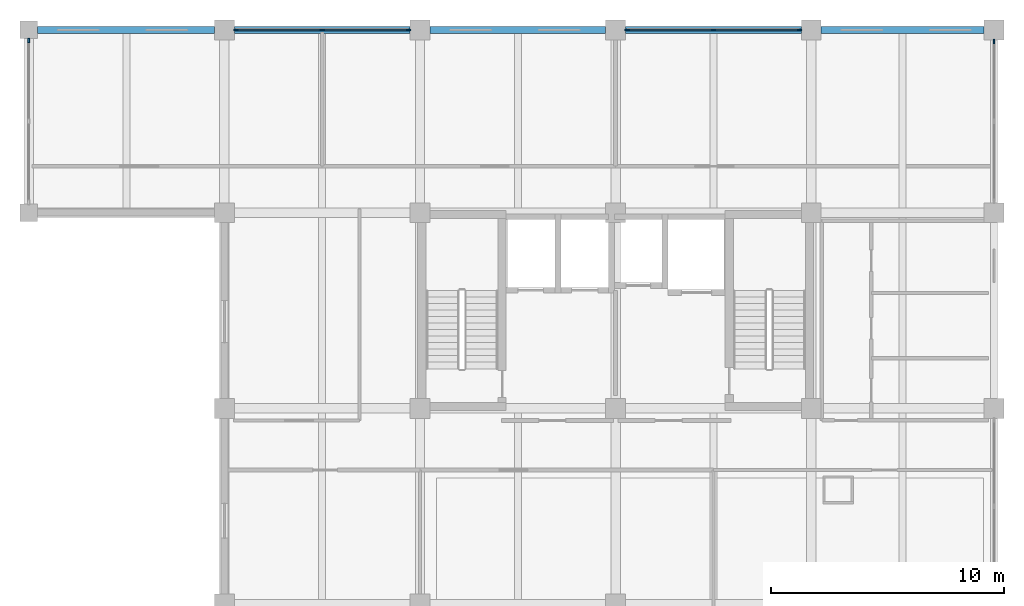
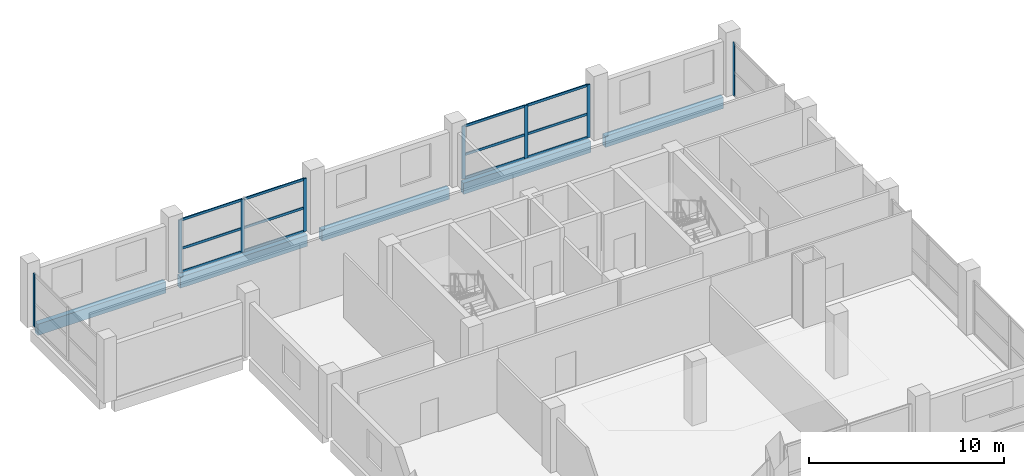
# One storey, part 5 of 9: 20 members, 5 beams, 4 elements without a shape of their own.
"""IFC4 building model written with IfcOpenShell, lengths in metres."""

from ifc_helpers import new_model, si_unit, direction, frame, origin, origin_2d, place, context, subcontext, project, spatial, rectangle, extrude, material, material_profile, profile_set, type_object, element, aggregate, save


model = new_model("IFC4")

# Units and contexts
model_context = context("Model", 3, precision=1e-05, world=origin(), true_north=direction((0.0, 1.0)))
body_context = subcontext(model_context, "Body", "Model", "MODEL_VIEW")
ifc_project = project(units=[si_unit("LENGTHUNIT", "METRE"), si_unit("AREAUNIT", "SQUARE_METRE"), si_unit("VOLUMEUNIT", "CUBIC_METRE"), si_unit("PLANEANGLEUNIT", "RADIAN"), si_unit("MASSUNIT", "GRAM", prefix="KILO")], contexts=[model_context])

# Site, building, storey
site_placement = place(None, origin())
site = spatial("IfcSite", under=ifc_project, at=site_placement, CompositionType="ELEMENT")
building_placement = place(site_placement, origin())
building = spatial("IfcBuilding", under=site, at=building_placement, Name="Brinegate Botanical Conservatory", CompositionType="ELEMENT")
storey_placement = place(building_placement, frame((0.0, 0.0, 36.0)))
storey = spatial("IfcBuildingStorey", under=building, at=storey_placement, Name="L09", CompositionType="ELEMENT", Elevation=36.0)

# Beams
ifc_material_1 = material(Name="Concrete C40/50", Category="concrete")
ifc_material_profile_1 = material_profile(ifc_material_1, rectangle(XDim=0.300048828125, YDim=0.699951171875, at=origin_2d()), Name="RC SPN 300x700")
ifc_profile_set_1 = profile_set([ifc_material_profile_1], Name="Concrete C40/50")
beam_type = type_object("IfcBeamType", Name="Beam_SP-02", PredefinedType="SPANDREL", material=ifc_profile_set_1)
beam_1_placement = place(storey_placement, frame((122.375, 111.449951171875, -0.530029296875), z_axis=(1.0, 0.0, 0.0), x_axis=(0.0, 1.0, 0.0)))
element("IfcBeam", 1, at=beam_1_placement, inside=storey, type_object=beam_type, Name="Beam SP-02 L09 P:16-17", PredefinedType="SPANDREL", context=body_context, shape_type="SweptSolid", body=[
    extrude(rectangle(XDim=0.300048828125, YDim=0.699951171875, at=origin_2d()), origin(), (0.0, 0.0, 1.0), 7.60009765625),
])
beam_2_placement = place(storey_placement, frame((130.824951171875, 111.449951171875, -0.530029296875), z_axis=(1.0, 0.0, 0.0), x_axis=(0.0, 1.0, 0.0)))
element("IfcBeam", 2, at=beam_2_placement, inside=storey, type_object=beam_type, Name="Beam SP-02 L09 P:17-18", PredefinedType="SPANDREL", context=body_context, shape_type="SweptSolid", body=[
    extrude(rectangle(XDim=0.300048828125, YDim=0.699951171875, at=origin_2d()), origin(), (0.0, 0.0, 1.0), 7.550048828125),
])
beam_3_placement = place(storey_placement, frame((139.22509765625, 111.449951171875, -0.530029296875), z_axis=(1.0, 0.0, 0.0), x_axis=(0.0, 1.0, 0.0)))
element("IfcBeam", 3, at=beam_3_placement, inside=storey, type_object=beam_type, Name="Beam SP-02 L09 P:18-19", PredefinedType="SPANDREL", context=body_context, shape_type="SweptSolid", body=[
    extrude(rectangle(XDim=0.300048828125, YDim=0.699951171875, at=origin_2d()), origin(), (0.0, 0.0, 1.0), 7.5498046875),
])
beam_4_placement = place(storey_placement, frame((147.625, 111.449951171875, -0.530029296875), z_axis=(1.0, 0.0, 0.0), x_axis=(0.0, 1.0, 0.0)))
element("IfcBeam", 4, at=beam_4_placement, inside=storey, type_object=beam_type, Name="Beam SP-02 L09 P:19-20", PredefinedType="SPANDREL", context=body_context, shape_type="SweptSolid", body=[
    extrude(rectangle(XDim=0.300048828125, YDim=0.699951171875, at=origin_2d()), origin(), (0.0, 0.0, 1.0), 7.550048828125),
])
beam_5_placement = place(storey_placement, frame((156.02490234375, 111.449951171875, -0.530029296875), z_axis=(1.0, 0.0, 0.0), x_axis=(0.0, 1.0, 0.0)))
element("IfcBeam", 5, at=beam_5_placement, inside=storey, type_object=beam_type, Name="Beam SP-02 L09 P:20-21", PredefinedType="SPANDREL", context=body_context, shape_type="SweptSolid", body=[
    extrude(rectangle(XDim=0.300048828125, YDim=0.699951171875, at=origin_2d()), origin(), (0.0, 0.0, 1.0), 7.0),
])

# Curtain wall, members
ifc_material_2 = material(Name="Thermally broken anodised aluminium AW-6063-T6", Category="aluminium")
curtain_wall_type = type_object("IfcCurtainWallType", Name="CW_CW-TW1", PredefinedType="USERDEFINED", material=ifc_material_2)
curtain_wall_1_placement = place(storey_placement, origin())
curtain_wall_1 = element("IfcCurtainWall", 6, at=curtain_wall_1_placement, inside=storey, type_object=curtain_wall_type, Name="Research lab north curtain wall L09.2", ObjectType="FACTORY CURTAIN WALL", PredefinedType="USERDEFINED")
ifc_material_profile_2 = material_profile(ifc_material_2, rectangle(XDim=0.070068359375, YDim=0.199951171875, at=origin_2d()), Name="ALUM MULLION 70x200")
ifc_profile_set_2 = profile_set([ifc_material_profile_2], Name="Thermally broken anodised aluminium AW-6063-T6")
member_type_1 = type_object("IfcMemberType", Name="Member_ML-03", PredefinedType="MULLION", material=ifc_profile_set_2)
member_1_placement = place(storey_placement, frame((130.89990234375, 111.449951171875, 0.0), z_axis=(0.0, 0.0, 1.0), x_axis=(0.0, 1.0, 0.0)))
member_1 = element("IfcMember", 7, at=member_1_placement, type_object=member_type_1, Name="CW-TW1 mullion 1", PredefinedType="MULLION", context=body_context, shape_type="SweptSolid", body=[
    extrude(rectangle(XDim=0.070068359375, YDim=0.199951171875, at=origin_2d()), origin(), (0.0, 0.0, 1.0), 3.320068359375),
])
member_2_placement = place(storey_placement, frame((134.60009765625, 111.449951171875, 0.0), z_axis=(0.0, 0.0, 1.0), x_axis=(0.0, 1.0, 0.0)))
member_2 = element("IfcMember", 8, at=member_2_placement, type_object=member_type_1, Name="CW-TW1 mullion 2", PredefinedType="MULLION", context=body_context, shape_type="SweptSolid", body=[
    extrude(rectangle(XDim=0.070068359375, YDim=0.199951171875, at=origin_2d()), origin(), (0.0, 0.0, 1.0), 3.320068359375),
])
member_3_placement = place(storey_placement, frame((138.300048828125, 111.449951171875, 0.0), z_axis=(0.0, 0.0, 1.0), x_axis=(0.0, 1.0, 0.0)))
member_3 = element("IfcMember", 9, at=member_3_placement, type_object=member_type_1, Name="CW-TW1 mullion 3", PredefinedType="MULLION", context=body_context, shape_type="SweptSolid", body=[
    extrude(rectangle(XDim=0.070068359375, YDim=0.199951171875, at=origin_2d()), origin(), (0.0, 0.0, 1.0), 3.320068359375),
])

curtain_wall_2_placement = place(storey_placement, origin())
curtain_wall_2 = element("IfcCurtainWall", 10, at=curtain_wall_2_placement, inside=storey, type_object=curtain_wall_type, Name="Research lab north curtain wall L09.4", ObjectType="FACTORY CURTAIN WALL", PredefinedType="USERDEFINED")
member_4_placement = place(storey_placement, frame((147.699951171875, 111.449951171875, 0.0), z_axis=(0.0, 0.0, 1.0), x_axis=(0.0, 1.0, 0.0)))
member_4 = element("IfcMember", 11, at=member_4_placement, type_object=member_type_1, Name="CW-TW1 mullion 1", PredefinedType="MULLION", context=body_context, shape_type="SweptSolid", body=[
    extrude(rectangle(XDim=0.070068359375, YDim=0.199951171875, at=origin_2d()), origin(), (0.0, 0.0, 1.0), 3.320068359375),
])
member_5_placement = place(storey_placement, frame((151.39990234375, 111.449951171875, 0.0), z_axis=(0.0, 0.0, 1.0), x_axis=(0.0, 1.0, 0.0)))
member_5 = element("IfcMember", 12, at=member_5_placement, type_object=member_type_1, Name="CW-TW1 mullion 2", PredefinedType="MULLION", context=body_context, shape_type="SweptSolid", body=[
    extrude(rectangle(XDim=0.070068359375, YDim=0.199951171875, at=origin_2d()), origin(), (0.0, 0.0, 1.0), 3.320068359375),
])
member_6_placement = place(storey_placement, frame((155.10009765625, 111.449951171875, 0.0), z_axis=(0.0, 0.0, 1.0), x_axis=(0.0, 1.0, 0.0)))
member_6 = element("IfcMember", 13, at=member_6_placement, type_object=member_type_1, Name="CW-TW1 mullion 3", PredefinedType="MULLION", context=body_context, shape_type="SweptSolid", body=[
    extrude(rectangle(XDim=0.070068359375, YDim=0.199951171875, at=origin_2d()), origin(), (0.0, 0.0, 1.0), 3.320068359375),
])

# Curtain wall, member
curtain_wall_3_placement = place(storey_placement, origin())
curtain_wall_3 = element("IfcCurtainWall", 14, at=curtain_wall_3_placement, inside=storey, type_object=curtain_wall_type, Name="Tower east curtain wall L09.4", ObjectType="FACTORY CURTAIN WALL", PredefinedType="USERDEFINED")
member_7_placement = place(storey_placement, frame((163.449951171875, 110.949951171875, 0.0), z_axis=(0.0, 0.0, 1.0), x_axis=(1.0, 0.0, 0.0)))
member_7 = element("IfcMember", 15, at=member_7_placement, type_object=member_type_1, Name="CW-TW1 mullion 1", PredefinedType="MULLION", context=body_context, shape_type="SweptSolid", body=[
    extrude(rectangle(XDim=0.070068359375, YDim=0.199951171875, at=origin_2d()), origin(), (0.0, 0.0, 1.0), 3.320068359375),
])
aggregate(curtain_wall_3, [member_7])

curtain_wall_4_placement = place(storey_placement, origin())
curtain_wall_4 = element("IfcCurtainWall", 16, at=curtain_wall_4_placement, inside=storey, type_object=curtain_wall_type, Name="Tower north-west curtain wall L09", ObjectType="FACTORY CURTAIN WALL", PredefinedType="USERDEFINED")
member_8_placement = place(storey_placement, frame((122.0, 111.0, 0.0), z_axis=(0.0, 0.0, 1.0), x_axis=(-1.0, 0.0, 0.0)))
member_8 = element("IfcMember", 17, at=member_8_placement, type_object=member_type_1, Name="CW-TW1 mullion 3", PredefinedType="MULLION", context=body_context, shape_type="SweptSolid", body=[
    extrude(rectangle(XDim=0.070068359375, YDim=0.199951171875, at=origin_2d()), origin(), (0.0, 0.0, 1.0), 3.320068359375),
])
aggregate(curtain_wall_4, [member_8])

# Member
ifc_material_profile_3 = material_profile(ifc_material_2, rectangle(XDim=0.070068359375, YDim=0.14990234375, at=origin_2d()), Name="ALUM TRANSOM 70x150")
ifc_profile_set_3 = profile_set([ifc_material_profile_3], Name="Thermally broken anodised aluminium AW-6063-T6")
member_type_2 = type_object("IfcMemberType", Name="Member_TR-03", PredefinedType="USERDEFINED", material=ifc_profile_set_3)
member_9_placement = place(storey_placement, frame((130.93505859375, 111.449951171875, 0.034912109375), z_axis=(1.0, 0.0, 0.0), x_axis=(0.0, 1.0, 0.0)))
member_9 = element("IfcMember", 18, at=member_9_placement, type_object=member_type_2, Name="CW-TW1 transom 1.1", ObjectType="TRANSOM", PredefinedType="USERDEFINED", context=body_context, shape_type="SweptSolid", body=[
    extrude(rectangle(XDim=0.070068359375, YDim=0.14990234375, at=origin_2d()), origin(), (0.0, 0.0, 1.0), 3.6298828125),
])

member_10_placement = place(storey_placement, frame((130.93505859375, 111.449951171875, 1.493896484375), z_axis=(1.0, 0.0, 0.0), x_axis=(0.0, 1.0, 0.0)))
member_10 = element("IfcMember", 19, at=member_10_placement, type_object=member_type_2, Name="CW-TW1 transom 1.2", ObjectType="TRANSOM", PredefinedType="USERDEFINED", context=body_context, shape_type="SweptSolid", body=[
    extrude(rectangle(XDim=0.070068359375, YDim=0.14990234375, at=origin_2d()), origin(), (0.0, 0.0, 1.0), 3.6298828125),
])

member_11_placement = place(storey_placement, frame((130.93505859375, 111.449951171875, 3.284912109375), z_axis=(1.0, 0.0, 0.0), x_axis=(0.0, 1.0, 0.0)))
member_11 = element("IfcMember", 20, at=member_11_placement, type_object=member_type_2, Name="CW-TW1 transom 1.3", ObjectType="TRANSOM", PredefinedType="USERDEFINED", context=body_context, shape_type="SweptSolid", body=[
    extrude(rectangle(XDim=0.070068359375, YDim=0.14990234375, at=origin_2d()), origin(), (0.0, 0.0, 1.0), 3.6298828125),
])

member_12_placement = place(storey_placement, frame((134.635009765625, 111.449951171875, 0.034912109375), z_axis=(1.0, 0.0, 0.0), x_axis=(0.0, 1.0, 0.0)))
member_12 = element("IfcMember", 21, at=member_12_placement, type_object=member_type_2, Name="CW-TW1 transom 2.1", ObjectType="TRANSOM", PredefinedType="USERDEFINED", context=body_context, shape_type="SweptSolid", body=[
    extrude(rectangle(XDim=0.070068359375, YDim=0.14990234375, at=origin_2d()), origin(), (0.0, 0.0, 1.0), 3.6298828125),
])

member_13_placement = place(storey_placement, frame((134.635009765625, 111.449951171875, 1.493896484375), z_axis=(1.0, 0.0, 0.0), x_axis=(0.0, 1.0, 0.0)))
member_13 = element("IfcMember", 22, at=member_13_placement, type_object=member_type_2, Name="CW-TW1 transom 2.2", ObjectType="TRANSOM", PredefinedType="USERDEFINED", context=body_context, shape_type="SweptSolid", body=[
    extrude(rectangle(XDim=0.070068359375, YDim=0.14990234375, at=origin_2d()), origin(), (0.0, 0.0, 1.0), 3.6298828125),
])

member_14_placement = place(storey_placement, frame((134.635009765625, 111.449951171875, 3.284912109375), z_axis=(1.0, 0.0, 0.0), x_axis=(0.0, 1.0, 0.0)))
member_14 = element("IfcMember", 23, at=member_14_placement, type_object=member_type_2, Name="CW-TW1 transom 2.3", ObjectType="TRANSOM", PredefinedType="USERDEFINED", context=body_context, shape_type="SweptSolid", body=[
    extrude(rectangle(XDim=0.070068359375, YDim=0.14990234375, at=origin_2d()), origin(), (0.0, 0.0, 1.0), 3.6298828125),
])

aggregate(curtain_wall_1, [member_1, member_2, member_3, member_9, member_10, member_11, member_12, member_13, member_14])

member_15_placement = place(storey_placement, frame((147.735107421875, 111.449951171875, 0.034912109375), z_axis=(1.0, 0.0, 0.0), x_axis=(0.0, 1.0, 0.0)))
member_15 = element("IfcMember", 24, at=member_15_placement, type_object=member_type_2, Name="CW-TW1 transom 1.1", ObjectType="TRANSOM", PredefinedType="USERDEFINED", context=body_context, shape_type="SweptSolid", body=[
    extrude(rectangle(XDim=0.070068359375, YDim=0.14990234375, at=origin_2d()), origin(), (0.0, 0.0, 1.0), 3.6298828125),
])

member_16_placement = place(storey_placement, frame((147.735107421875, 111.449951171875, 1.493896484375), z_axis=(1.0, 0.0, 0.0), x_axis=(0.0, 1.0, 0.0)))
member_16 = element("IfcMember", 25, at=member_16_placement, type_object=member_type_2, Name="CW-TW1 transom 1.2", ObjectType="TRANSOM", PredefinedType="USERDEFINED", context=body_context, shape_type="SweptSolid", body=[
    extrude(rectangle(XDim=0.070068359375, YDim=0.14990234375, at=origin_2d()), origin(), (0.0, 0.0, 1.0), 3.6298828125),
])

member_17_placement = place(storey_placement, frame((147.735107421875, 111.449951171875, 3.284912109375), z_axis=(1.0, 0.0, 0.0), x_axis=(0.0, 1.0, 0.0)))
member_17 = element("IfcMember", 26, at=member_17_placement, type_object=member_type_2, Name="CW-TW1 transom 1.3", ObjectType="TRANSOM", PredefinedType="USERDEFINED", context=body_context, shape_type="SweptSolid", body=[
    extrude(rectangle(XDim=0.070068359375, YDim=0.14990234375, at=origin_2d()), origin(), (0.0, 0.0, 1.0), 3.6298828125),
])

member_18_placement = place(storey_placement, frame((151.43505859375, 111.449951171875, 0.034912109375), z_axis=(1.0, 0.0, 0.0), x_axis=(0.0, 1.0, 0.0)))
member_18 = element("IfcMember", 27, at=member_18_placement, type_object=member_type_2, Name="CW-TW1 transom 2.1", ObjectType="TRANSOM", PredefinedType="USERDEFINED", context=body_context, shape_type="SweptSolid", body=[
    extrude(rectangle(XDim=0.070068359375, YDim=0.14990234375, at=origin_2d()), origin(), (0.0, 0.0, 1.0), 3.6298828125),
])

member_19_placement = place(storey_placement, frame((151.43505859375, 111.449951171875, 1.493896484375), z_axis=(1.0, 0.0, 0.0), x_axis=(0.0, 1.0, 0.0)))
member_19 = element("IfcMember", 28, at=member_19_placement, type_object=member_type_2, Name="CW-TW1 transom 2.2", ObjectType="TRANSOM", PredefinedType="USERDEFINED", context=body_context, shape_type="SweptSolid", body=[
    extrude(rectangle(XDim=0.070068359375, YDim=0.14990234375, at=origin_2d()), origin(), (0.0, 0.0, 1.0), 3.6298828125),
])

member_20_placement = place(storey_placement, frame((151.43505859375, 111.449951171875, 3.284912109375), z_axis=(1.0, 0.0, 0.0), x_axis=(0.0, 1.0, 0.0)))
member_20 = element("IfcMember", 29, at=member_20_placement, type_object=member_type_2, Name="CW-TW1 transom 2.3", ObjectType="TRANSOM", PredefinedType="USERDEFINED", context=body_context, shape_type="SweptSolid", body=[
    extrude(rectangle(XDim=0.070068359375, YDim=0.14990234375, at=origin_2d()), origin(), (0.0, 0.0, 1.0), 3.6298828125),
])

aggregate(curtain_wall_2, [member_4, member_5, member_6, member_15, member_16, member_17, member_18, member_19, member_20])

save(model, "model.ifc")
